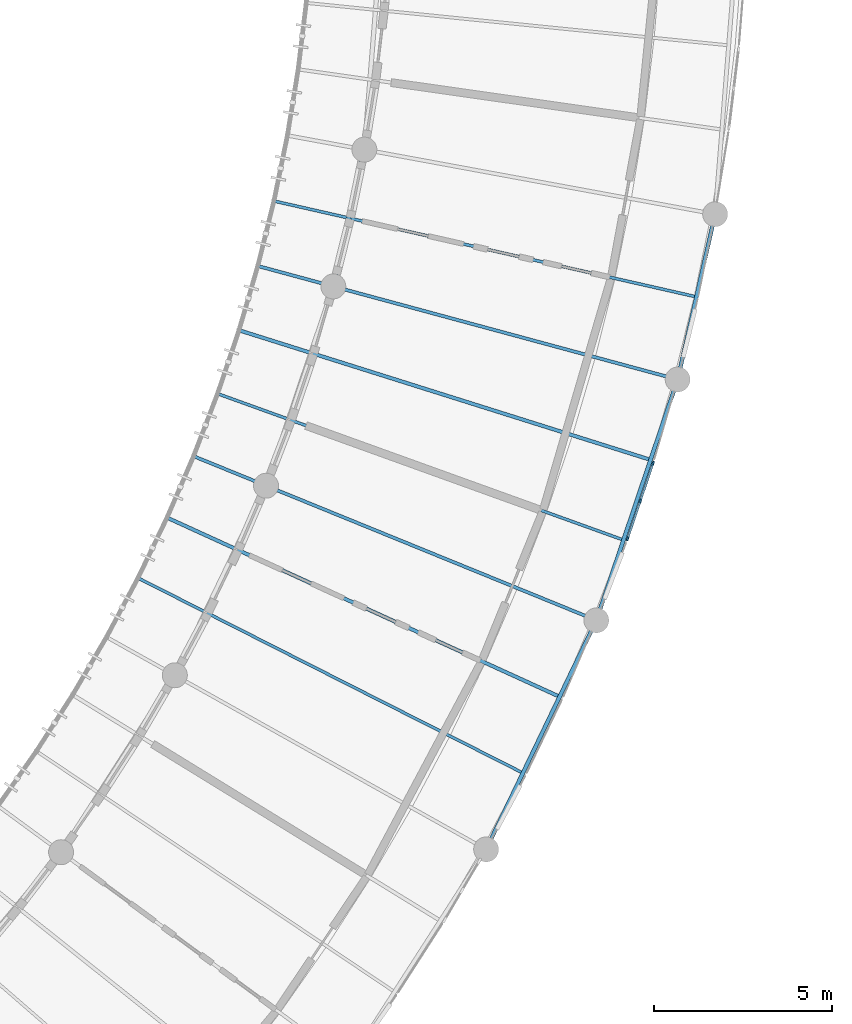
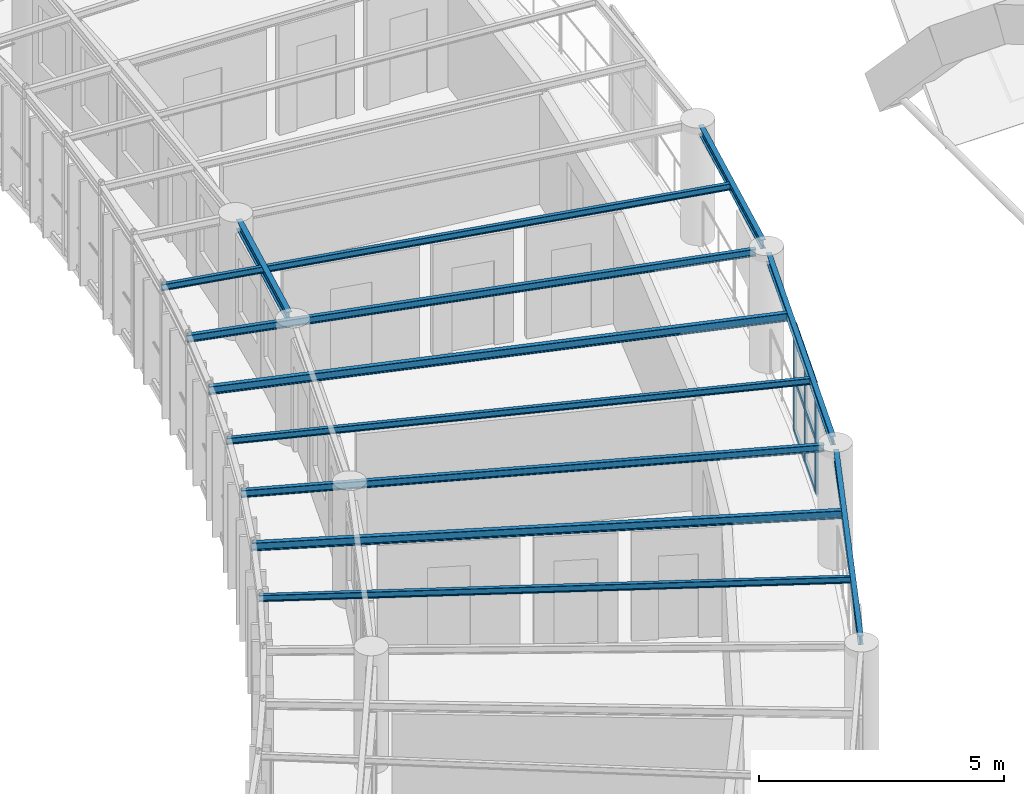
# One storey, part 15 of 123: 11 beams, 9 members, 1 element without a shape of its own.
"""IFC4 building model written with IfcOpenShell, lengths in metres."""

from ifc_helpers import new_model, si_unit, direction, frame, origin, origin_2d, place, context, subcontext, project, spatial, rectangle, i_section, extrude, material, layer, layer_set, material_profile, profile_set, type_object, element, aggregate, save


model = new_model("IFC4")

# Units and contexts
model_context = context("Model", 3, precision=1e-05, world=origin(), true_north=direction((0.0, 1.0)))
body_context = subcontext(model_context, "Body", "Model", "MODEL_VIEW")
ifc_project = project(units=[si_unit("LENGTHUNIT", "METRE"), si_unit("AREAUNIT", "SQUARE_METRE"), si_unit("VOLUMEUNIT", "CUBIC_METRE"), si_unit("PLANEANGLEUNIT", "RADIAN"), si_unit("MASSUNIT", "GRAM", prefix="KILO"), si_unit("POWERUNIT", "WATT"), si_unit("THERMODYNAMICTEMPERATUREUNIT", "KELVIN")], contexts=[model_context])

# Site, building, storey
site_placement = place(None, origin())
site = spatial("IfcSite", under=ifc_project, at=site_placement, CompositionType="ELEMENT")
building_placement = place(site_placement, origin())
building = spatial("IfcBuilding", under=site, at=building_placement, Name="Ruvembo Vaulted Housing Court", CompositionType="ELEMENT")
storey_placement = place(building_placement, frame((0.0, 0.0, 7.699951171875)))
storey = spatial("IfcBuildingStorey", under=building, at=storey_placement, Name="L02", CompositionType="ELEMENT", Elevation=7.699951171875)

# Beams
ifc_material_1 = material(Name="Steel S355J2", Category="steel")
ifc_material_profile_1 = material_profile(ifc_material_1, i_section(OverallWidth=0.08203125, OverallDepth=0.159912109375, WebThickness=0.0048828125, FlangeThickness=0.00732421875, FilletRadius=0.009033203125, at=origin_2d()), Name="IPE 160")
ifc_profile_set_1 = profile_set([ifc_material_profile_1], Name="Steel S355J2")
beam_type_1 = type_object("IfcBeamType", Name="BM-ST-IPE160", PredefinedType="JOIST", material=ifc_profile_set_1)
for number, where, z_axis, x_axis, name in (
    (1, (53.606689453125, 47.852783203125, 2.860107421875), (-0.892032194584, 0.451971861763, 0.0), (-0.451971861763, -0.892032194584, 0.0), "Scoop SC1 L02 Radial Steel Joist 7"),
    (2, (56.423583984375, 54.37841796875, 2.860107421875), (-0.940730058754, 0.339156242102, 0.0), (-0.339156242102, -0.940730058754, 0.0), "Scoop SC1 L02 Radial Steel Joist 10"),
):
    element("IfcBeam", number, at=place(storey_placement, frame(where, z_axis=z_axis, x_axis=x_axis)), inside=storey, type_object=beam_type_1, Name=name, PredefinedType="JOIST", context=body_context, shape_type="SweptSolid", body=[
        extrude(i_section(OverallWidth=0.08203125, OverallDepth=0.159912109375, WebThickness=0.0048828125, FlangeThickness=0.00732421875, FilletRadius=0.009033203125, at=origin_2d()), origin(), (0.0, 0.0, 1.0), 12.0927734375),
    ])
beam_1_placement = place(storey_placement, frame((58.46630859375, 61.189208984375, 2.860107421875), z_axis=(-0.975216538184, 0.221252578862, 0.0), x_axis=(-0.221252578862, -0.975216538184, 0.0)))
element("IfcBeam", 3, at=beam_1_placement, inside=storey, type_object=beam_type_1, Name="Scoop SC1 L02 Radial Steel Joist 13", PredefinedType="JOIST", context=body_context, shape_type="SweptSolid", body=[
    extrude(i_section(OverallWidth=0.08203125, OverallDepth=0.159912109375, WebThickness=0.0048828125, FlangeThickness=0.00732421875, FilletRadius=0.009033203125, at=origin_2d()), origin(), (0.0, 0.0, 1.0), 12.14111328125),
])
ifc_material_profile_2 = material_profile(ifc_material_1, i_section(OverallWidth=0.091064453125, OverallDepth=0.179931640625, WebThickness=0.00537109375, FlangeThickness=0.008056640625, FilletRadius=0.009033203125, at=origin_2d()), Name="IPE 180")
ifc_profile_set_2 = profile_set([ifc_material_profile_2], Name="Steel S355J2")
beam_type_2 = type_object("IfcBeamType", Name="BM-ST-IPE180", PredefinedType="JOIST", material=ifc_profile_set_2)
beam_2_placement = place(storey_placement, frame((55.49755859375, 52.196533203125, 2.85009765625), z_axis=(-0.926045789451, 0.377411176094, 0.0), x_axis=(-0.377411176094, -0.926045789451, 0.0)))
element("IfcBeam", 4, at=beam_2_placement, inside=storey, type_object=beam_type_2, Name="Scoop SC1 L02 Radial Steel Joist 9", PredefinedType="JOIST", context=body_context, shape_type="SweptSolid", body=[
    extrude(i_section(OverallWidth=0.091064453125, OverallDepth=0.179931640625, WebThickness=0.00537109375, FlangeThickness=0.008056640625, FilletRadius=0.009033203125, at=origin_2d()), origin(), (0.0, 0.0, 1.0), 12.010009765625),
])
beam_3_placement = place(storey_placement, frame((57.767333984375, 58.9208984375, 2.85009765625), z_axis=(-0.965330589563, 0.261030367684, 0.0), x_axis=(-0.261030367684, -0.965330589563, 0.0)))
element("IfcBeam", 5, at=beam_3_placement, inside=storey, type_object=beam_type_2, Name="Scoop SC1 L02 Radial Steel Joist 12", PredefinedType="JOIST", context=body_context, shape_type="SweptSolid", body=[
    extrude(i_section(OverallWidth=0.091064453125, OverallDepth=0.179931640625, WebThickness=0.00537109375, FlangeThickness=0.008056640625, FilletRadius=0.009033203125, at=origin_2d()), origin(), (0.0, 0.0, 1.0), 12.01025390625),
])
ifc_material_profile_3 = material_profile(ifc_material_1, i_section(OverallWidth=0.10009765625, OverallDepth=0.199951171875, WebThickness=0.005615234375, FlangeThickness=0.008544921875, FilletRadius=0.011962890625, at=origin_2d()), Name="IPE 200")
ifc_profile_set_3 = profile_set([ifc_material_profile_3], Name="Steel S355J2")
beam_type_3 = type_object("IfcBeamType", Name="BM-ST-IPE200", PredefinedType="BEAM", material=ifc_profile_set_3)
for number, where, z_axis, x_axis, name in (
    (6, (54.634521484375, 49.989013671875, 2.840087890625), (-0.909807680255, 0.415030101256, 0.0), (-0.415030101256, -0.909807680255, 0.0), "Scoop SC1 L02 Radial Steel Joist 8"),
    (7, (57.181640625, 56.62451171875, 2.840087890625), (-0.953840147825, 0.300314788843, 0.0), (-0.300314788843, -0.953840147825, 0.0), "Scoop SC1 L02 Radial Steel Joist 11"),
):
    element("IfcBeam", number, at=place(storey_placement, frame(where, z_axis=z_axis, x_axis=x_axis)), inside=storey, type_object=beam_type_3, Name=name, PredefinedType="BEAM", context=body_context, shape_type="SweptSolid", body=[
        extrude(i_section(OverallWidth=0.10009765625, OverallDepth=0.199951171875, WebThickness=0.005615234375, FlangeThickness=0.008544921875, FilletRadius=0.011962890625, at=origin_2d()), origin(), (0.0, 0.0, 1.0), 12.092529296875),
    ])
ifc_material_profile_4 = material_profile(ifc_material_1, i_section(OverallWidth=0.110107421875, OverallDepth=0.219970703125, WebThickness=0.005859375, FlangeThickness=0.00927734375, FilletRadius=0.011962890625, at=origin_2d()), Name="IPE 220")
ifc_profile_set_4 = profile_set([ifc_material_profile_4], Name="Steel S355J2")
beam_type_4 = type_object("IfcBeamType", Name="BM-ST-IPE220", PredefinedType="SPANDREL", material=ifc_profile_set_4)
for number, where, z_axis, x_axis, name in (
    (8, (52.720703125, 45.89599609375, 2.83203125), (0.433595351861, 0.901107691036, 0.0), (-0.901107691036, 0.433595351861, 0.0), "Scoop SC1 L02 Chord Girder B6"),
    (9, (55.7841796875, 52.32763671875, 2.83203125), (0.319796729332, 0.947486175049, 0.0), (-0.947486175049, 0.319796729332, 0.0), "Scoop SC1 L02 Chord Girder B9"),
):
    element("IfcBeam", number, at=place(storey_placement, frame(where, z_axis=z_axis, x_axis=x_axis)), inside=storey, type_object=beam_type_4, Name=name, PredefinedType="SPANDREL", context=body_context, shape_type="SweptSolid", body=[
        extrude(i_section(OverallWidth=0.110107421875, OverallDepth=0.219970703125, WebThickness=0.005859375, FlangeThickness=0.00927734375, FilletRadius=0.011962890625, at=origin_2d()), origin(), (0.0, 0.0, 1.0), 6.66552734375),
    ])
beam_4_placement = place(storey_placement, frame((58.040283203125, 59.085205078125, 2.83203125), z_axis=(0.221264608711, 0.97521380883, 0.0), x_axis=(-0.97521380883, 0.221264608711, 0.0)))
element("IfcBeam", 10, at=beam_4_placement, inside=storey, type_object=beam_type_4, Name="Scoop SC1 L02 Chord Girder B12", PredefinedType="SPANDREL", context=body_context, shape_type="SweptSolid", body=[
    extrude(i_section(OverallWidth=0.110107421875, OverallDepth=0.219970703125, WebThickness=0.005859375, FlangeThickness=0.00927734375, FilletRadius=0.011962890625, at=origin_2d()), origin(), (0.0, 0.0, 1.0), 4.292236328125),
])
ifc_material_profile_5 = material_profile(ifc_material_1, i_section(OverallWidth=0.1201171875, OverallDepth=0.239990234375, WebThickness=0.006103515625, FlangeThickness=0.009765625, FilletRadius=0.014892578125, at=origin_2d()), Name="IPE 240")
ifc_profile_set_5 = profile_set([ifc_material_profile_5], Name="Steel S355J2")
beam_type_5 = type_object("IfcBeamType", Name="BM-ST-IPE240", PredefinedType="BEAM", material=ifc_profile_set_5)
beam_5_placement = place(storey_placement, frame((48.386962890625, 61.695556640625, 2.822021484375), z_axis=(0.221253396434, 0.975216352696, 0.0), x_axis=(-0.975216352696, 0.221253396434, 0.0)))
element("IfcBeam", 11, at=beam_5_placement, inside=storey, type_object=beam_type_5, Name="Scoop SC1 L02 Chord Girder F12", PredefinedType="BEAM", context=body_context, shape_type="SweptSolid", body=[
    extrude(i_section(OverallWidth=0.1201171875, OverallDepth=0.239990234375, WebThickness=0.006103515625, FlangeThickness=0.009765625, FilletRadius=0.014892578125, at=origin_2d()), origin(), (0.0, 0.0, 1.0), 3.47265625),
])

# Curtain wall, members
ifc_material_2 = material(Name="Anodised Aluminium and Solar-Control Glass", Category="aluminium")
ifc_layer = layer(ifc_material_2, 0.139892578125, Name="Anodised Aluminium and Solar-Control Glass")
ifc_layer_set = layer_set([ifc_layer], Name="Anodised Aluminium and Solar-Control Glass")
curtain_wall_type = type_object("IfcCurtainWallType", Name="CW-SCOOP-PAN", PredefinedType="NOTDEFINED", material=ifc_layer_set)
curtain_wall_placement = place(storey_placement, origin())
curtain_wall = element("IfcCurtainWall", 12, at=curtain_wall_placement, inside=storey, type_object=curtain_wall_type, Name="L02 Curtain Wall CW-L02-0015", PredefinedType="NOTDEFINED")
ifc_material_3 = material(Name="Anodised Aluminium 6063-T6", Category="aluminium")
ifc_material_profile_6 = material_profile(ifc_material_3, rectangle(XDim=0.054931640625, YDim=0.1201171875, at=origin_2d()), Name="ALU 55x120")
ifc_profile_set_6 = profile_set([ifc_material_profile_6], Name="Anodised Aluminium 6063-T6")
member_type_1 = type_object("IfcMemberType", Name="CW-MUL-55x120", PredefinedType="MULLION", material=ifc_profile_set_6)
member_1_placement = place(storey_placement, frame((56.5869140625, 54.40185546875, 0.0), z_axis=(0.0, 0.0, 1.0), x_axis=(-0.947472812083, 0.31983631808, 0.0)))
member_1 = element("IfcMember", 13, at=member_1_placement, type_object=member_type_1, Name="CW10 mullion 1", PredefinedType="MULLION", context=body_context, shape_type="SweptSolid", body=[
    extrude(rectangle(XDim=0.054931640625, YDim=0.1201171875, at=origin_2d()), origin(), (0.0, 0.0, 1.0), 2.697998046875),
])
member_2_placement = place(storey_placement, frame((56.942138671875, 55.454345703125, 0.0), z_axis=(0.0, 0.0, 1.0), x_axis=(-0.947472812083, 0.31983631808, 0.0)))
member_2 = element("IfcMember", 14, at=member_2_placement, type_object=member_type_1, Name="CW10 mullion 2", PredefinedType="MULLION", context=body_context, shape_type="SweptSolid", body=[
    extrude(rectangle(XDim=0.054931640625, YDim=0.1201171875, at=origin_2d()), origin(), (0.0, 0.0, 1.0), 2.697998046875),
])
member_3_placement = place(storey_placement, frame((57.29736328125, 56.506591796875, 0.0), z_axis=(0.0, 0.0, 1.0), x_axis=(-0.947472812083, 0.31983631808, 0.0)))
member_3 = element("IfcMember", 15, at=member_3_placement, type_object=member_type_1, Name="CW10 mullion 3", PredefinedType="MULLION", context=body_context, shape_type="SweptSolid", body=[
    extrude(rectangle(XDim=0.054931640625, YDim=0.1201171875, at=origin_2d()), origin(), (0.0, 0.0, 1.0), 2.697998046875),
])
ifc_material_profile_7 = material_profile(ifc_material_3, rectangle(XDim=0.06005859375, YDim=0.1201171875, at=origin_2d()), Name="ALU 60x120")
ifc_profile_set_7 = profile_set([ifc_material_profile_7], Name="Anodised Aluminium 6063-T6")
member_type_2 = type_object("IfcMemberType", Name="CW-TRANSOM-65x120", PredefinedType="USERDEFINED", material=ifc_profile_set_7)
member_4_placement = place(storey_placement, frame((56.595703125, 54.427978515625, 0.030029296875), z_axis=(0.319833141803, 0.947473884286, 0.0), x_axis=(-0.947473884286, 0.319833141803, 0.0)))
member_4 = element("IfcMember", 16, at=member_4_placement, type_object=member_type_2, Name="CW10 transom 1.1", ObjectType="TRANSOM", PredefinedType="USERDEFINED", context=body_context, shape_type="SweptSolid", body=[
    extrude(rectangle(XDim=0.06005859375, YDim=0.1201171875, at=origin_2d()), origin(), (0.0, 0.0, 1.0), 1.0556640625),
])
member_5_placement = place(storey_placement, frame((56.595703125, 54.427978515625, 1.34912109375), z_axis=(0.319833141803, 0.947473884286, 0.0), x_axis=(-0.947473884286, 0.319833141803, 0.0)))
member_5 = element("IfcMember", 17, at=member_5_placement, type_object=member_type_2, Name="CW10 transom 1.2", ObjectType="TRANSOM", PredefinedType="USERDEFINED", context=body_context, shape_type="SweptSolid", body=[
    extrude(rectangle(XDim=0.06005859375, YDim=0.1201171875, at=origin_2d()), origin(), (0.0, 0.0, 1.0), 1.0556640625),
])
member_6_placement = place(storey_placement, frame((56.595703125, 54.427978515625, 2.66796875), z_axis=(0.319833141803, 0.947473884286, 0.0), x_axis=(-0.947473884286, 0.319833141803, 0.0)))
member_6 = element("IfcMember", 18, at=member_6_placement, type_object=member_type_2, Name="CW10 transom 1.3", ObjectType="TRANSOM", PredefinedType="USERDEFINED", context=body_context, shape_type="SweptSolid", body=[
    extrude(rectangle(XDim=0.06005859375, YDim=0.1201171875, at=origin_2d()), origin(), (0.0, 0.0, 1.0), 1.0556640625),
])
member_7_placement = place(storey_placement, frame((56.950927734375, 55.480224609375, 0.030029296875), z_axis=(0.319833141803, 0.947473884286, 0.0), x_axis=(-0.947473884286, 0.319833141803, 0.0)))
member_7 = element("IfcMember", 19, at=member_7_placement, type_object=member_type_2, Name="CW10 transom 2.1", ObjectType="TRANSOM", PredefinedType="USERDEFINED", context=body_context, shape_type="SweptSolid", body=[
    extrude(rectangle(XDim=0.06005859375, YDim=0.1201171875, at=origin_2d()), origin(), (0.0, 0.0, 1.0), 1.0556640625),
])
member_8_placement = place(storey_placement, frame((56.950927734375, 55.480224609375, 1.34912109375), z_axis=(0.319833141803, 0.947473884286, 0.0), x_axis=(-0.947473884286, 0.319833141803, 0.0)))
member_8 = element("IfcMember", 20, at=member_8_placement, type_object=member_type_2, Name="CW10 transom 2.2", ObjectType="TRANSOM", PredefinedType="USERDEFINED", context=body_context, shape_type="SweptSolid", body=[
    extrude(rectangle(XDim=0.06005859375, YDim=0.1201171875, at=origin_2d()), origin(), (0.0, 0.0, 1.0), 1.0556640625),
])
member_9_placement = place(storey_placement, frame((56.950927734375, 55.480224609375, 2.66796875), z_axis=(0.319833141803, 0.947473884286, 0.0), x_axis=(-0.947473884286, 0.319833141803, 0.0)))
member_9 = element("IfcMember", 21, at=member_9_placement, type_object=member_type_2, Name="CW10 transom 2.3", ObjectType="TRANSOM", PredefinedType="USERDEFINED", context=body_context, shape_type="SweptSolid", body=[
    extrude(rectangle(XDim=0.06005859375, YDim=0.1201171875, at=origin_2d()), origin(), (0.0, 0.0, 1.0), 1.0556640625),
])
aggregate(curtain_wall, [member_1, member_2, member_3, member_4, member_5, member_6, member_7, member_8, member_9])

save(model, "model.ifc")
